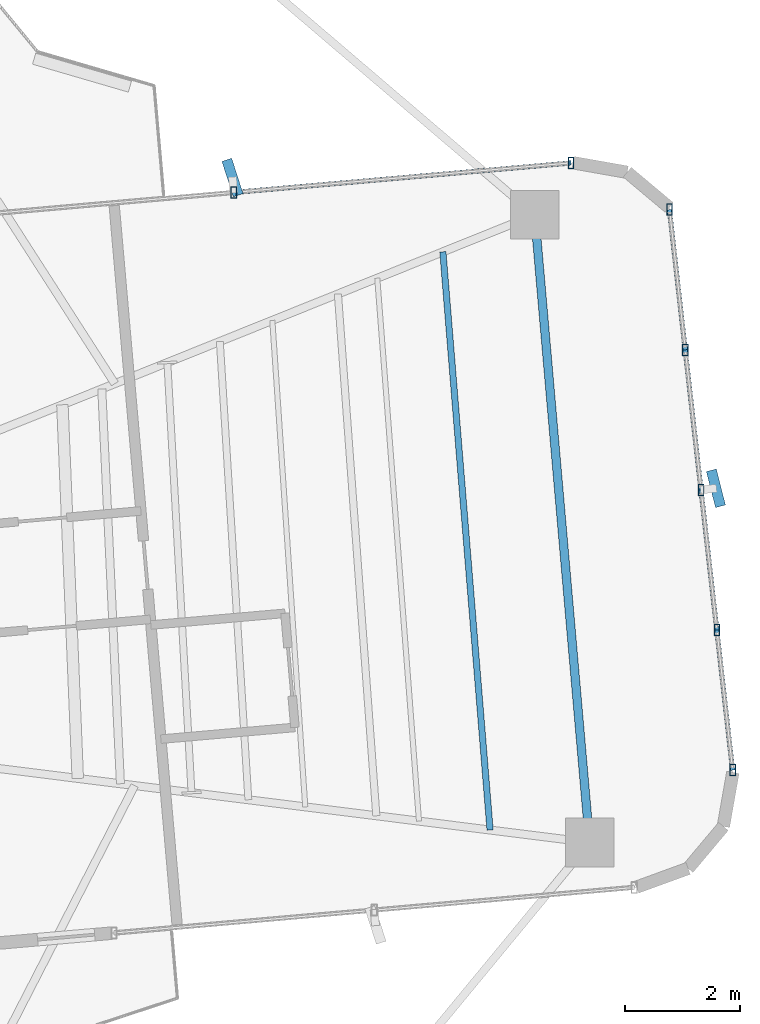
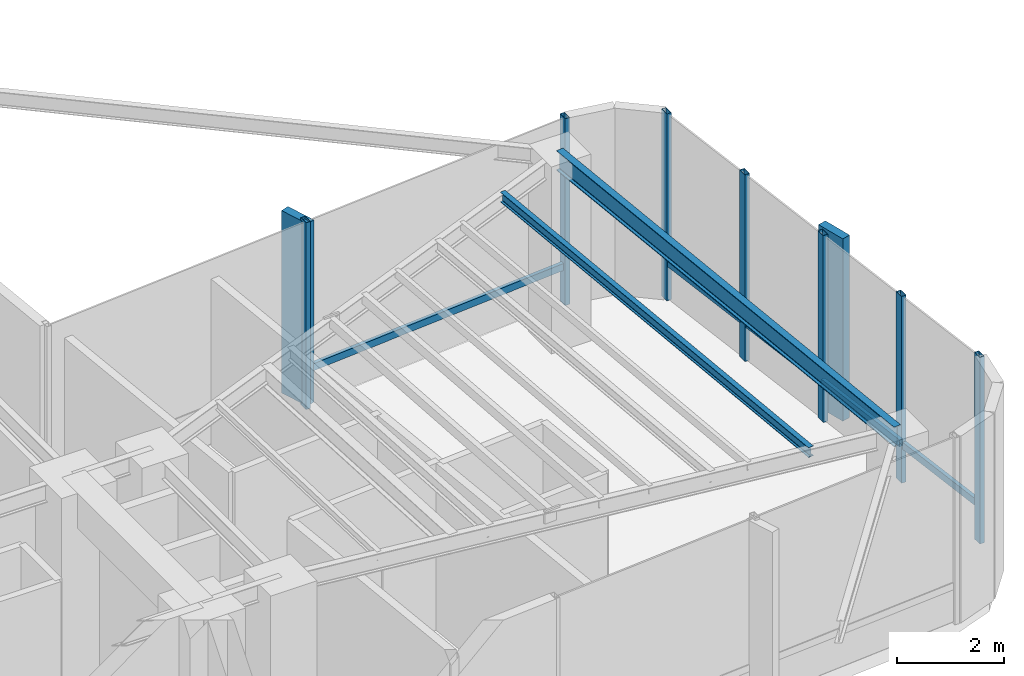
# One storey, part 9 of 19: 14 members, 2 beams, 2 elements without a shape of their own.
"""IFC4 building model written with IfcOpenShell, lengths in metres."""

from ifc_helpers import new_model, si_unit, direction, frame, origin, origin_2d, place, context, subcontext, project, spatial, rectangle, hollow_rectangle, i_section, extrude, source, transform, mapped, material, material_profile, profile_set, type_object, element, aggregate, save


model = new_model("IFC4")

# Units and contexts
model_context = context("Model", 3, precision=1e-05, world=origin(), true_north=direction((0.0, 1.0)))
body_context = subcontext(model_context, "Body", "Model", "MODEL_VIEW")
ifc_project = project(units=[si_unit("LENGTHUNIT", "METRE"), si_unit("AREAUNIT", "SQUARE_METRE"), si_unit("VOLUMEUNIT", "CUBIC_METRE"), si_unit("PLANEANGLEUNIT", "RADIAN"), si_unit("MASSUNIT", "GRAM", prefix="KILO")], contexts=[model_context])

# Site, building, storey
site_placement = place(None, origin())
site = spatial("IfcSite", under=ifc_project, at=site_placement, CompositionType="ELEMENT")
building_placement = place(site_placement, origin())
building = spatial("IfcBuilding", under=site, at=building_placement, Name="Sahyath Konkavel Grand Hotel", CompositionType="ELEMENT")
storey_placement = place(building_placement, frame((0.0, 0.0, 170.699951171875)))
storey = spatial("IfcBuildingStorey", under=building, at=storey_placement, Name="L47", CompositionType="ELEMENT", Elevation=170.699951171875)

# Beams
ifc_material_1 = material(Name="Steel E350", Category="steel")
ifc_material_profile_1 = material_profile(ifc_material_1, i_section(OverallWidth=0.14990234375, OverallDepth=0.449951171875, WebThickness=0.009521484375, FlangeThickness=0.017333984375, FilletRadius=0.014892578125, at=origin_2d()), Name="ISMB 450")
ifc_profile_set_1 = profile_set([ifc_material_profile_1], Name="Steel E350")
beam_type_1 = type_object("IfcBeamType", Name="BM-ISMB450", PredefinedType="BEAM", material=ifc_profile_set_1)
shared_shape_1 = source(origin(), body_context, "Body", "SweptSolid", [
    extrude(i_section(OverallWidth=0.14990234375, OverallDepth=0.449951171875, WebThickness=0.009521484375, FlangeThickness=0.017333984375, FilletRadius=0.014892578125, at=origin_2d()), origin(), (0.0, 0.0, 1.0), 11.0),
])
beam_1_placement = place(storey_placement, frame((17.912841796875, -3.953857421875, 4.03515625), z_axis=(-0.087157314015, 0.996194560622, 0.0), x_axis=(-0.996194560622, -0.087157314015, 0.0)))
element("IfcBeam", 1, at=beam_1_placement, inside=storey, type_object=beam_type_1, Name="L47 Wing Tip Edge Beam E", PredefinedType="BEAM", context=body_context, shape_type="MappedRepresentation", body=[
    mapped(shared_shape_1, transform((0.0, 0.0, 0.0), scale=1.0)),
])
ifc_material_profile_2 = material_profile(ifc_material_1, i_section(OverallWidth=0.110107421875, OverallDepth=0.22509765625, WebThickness=0.006591796875, FlangeThickness=0.01171875, FilletRadius=0.011962890625, at=origin_2d()), Name="ISMB 225")
ifc_profile_set_2 = profile_set([ifc_material_profile_2], Name="Steel E350")
beam_type_2 = type_object("IfcBeamType", Name="BM-ISMB225", PredefinedType="BEAM", material=ifc_profile_set_2)
shared_shape_2 = source(origin(), body_context, "Body", "SweptSolid", [
    extrude(i_section(OverallWidth=0.110107421875, OverallDepth=0.22509765625, WebThickness=0.006591796875, FlangeThickness=0.01171875, FilletRadius=0.011962890625, at=origin_2d()), origin(), (0.0, 0.0, 1.0), 10.129638671875),
])
beam_2_placement = place(storey_placement, frame((16.175048828125, -3.736328125, 4.1474609375), z_axis=(-0.081391815092, 0.996682182261, 0.0), x_axis=(-0.996682182261, -0.081391815092, 0.0)))
element("IfcBeam", 2, at=beam_2_placement, inside=storey, type_object=beam_type_2, Name="L47 Composite Deck Sub-Beam E-6", PredefinedType="BEAM", context=body_context, shape_type="MappedRepresentation", body=[
    mapped(shared_shape_2, transform((0.0, 0.0, 0.0), scale=1.0)),
])

# Curtain wall, members
ifc_material_2 = material(Name="Anodised Bronze Aluminium & Low-E Glazing", Category="aluminium")
curtain_wall_type = type_object("IfcCurtainWallType", Name="CW-SKYLOBBY", PredefinedType="NOTDEFINED", material=ifc_material_2)
curtain_wall_1_placement = place(storey_placement, origin())
curtain_wall_1 = element("IfcCurtainWall", 3, at=curtain_wall_1_placement, inside=storey, type_object=curtain_wall_type, Name="L47 Unitised Curtain Wall F4", PredefinedType="NOTDEFINED")
ifc_material_3 = material(Name="Anodised Bronze Aluminium", Category="aluminium")
ifc_material_profile_3 = material_profile(ifc_material_3, hollow_rectangle(XDim=0.10009765625, YDim=0.199951171875, WallThickness=0.008056640625, at=origin_2d()), Name="RHS 200x100x8")
ifc_profile_set_3 = profile_set([ifc_material_profile_3], Name="Anodised Bronze Aluminium")
member_type_1 = type_object("IfcMemberType", Name="CW-MUL-200", PredefinedType="MULLION", material=ifc_profile_set_3)
shared_shape_3 = source(origin(), body_context, "Body", "SweptSolid", [
    extrude(hollow_rectangle(XDim=0.10009765625, YDim=0.199951171875, WallThickness=0.008056640625, at=origin_2d()), origin(), (0.0, 0.0, 1.0), 4.260009765625),
])
member_1_placement = place(storey_placement, frame((20.4111328125, -2.69140625, 0.0), z_axis=(0.0, 0.0, 1.0), x_axis=(1.0, 0.0, 0.0)))
member_1 = element("IfcMember", 4, at=member_1_placement, type_object=member_type_1, Name="L47 Curtain Wall Mullion F4-0", PredefinedType="MULLION", context=body_context, shape_type="MappedRepresentation", body=[
    mapped(shared_shape_3, transform((0.0, 0.0, 0.0), scale=1.0)),
])
member_2_placement = place(storey_placement, frame((20.135498046875, -0.24462890625, 0.0), z_axis=(0.0, 0.0, 1.0), x_axis=(1.0, 0.0, 0.0)))
member_2 = element("IfcMember", 5, at=member_2_placement, type_object=member_type_1, Name="L47 Curtain Wall Mullion F4-1", PredefinedType="MULLION", context=body_context, shape_type="MappedRepresentation", body=[
    mapped(shared_shape_3, transform((0.0, 0.0, 0.0), scale=1.0)),
])
member_3_placement = place(storey_placement, frame((19.859619140625, 2.201904296875, 0.0), z_axis=(0.0, 0.0, 1.0), x_axis=(1.0, 0.0, 0.0)))
member_3 = element("IfcMember", 6, at=member_3_placement, type_object=member_type_1, Name="L47 Curtain Wall Mullion F4-2", PredefinedType="MULLION", context=body_context, shape_type="MappedRepresentation", body=[
    mapped(shared_shape_3, transform((0.0, 0.0, 0.0), scale=1.0)),
])
member_4_placement = place(storey_placement, frame((19.583984375, 4.648193359375, 0.0), z_axis=(0.0, 0.0, 1.0), x_axis=(1.0, 0.0, 0.0)))
member_4 = element("IfcMember", 7, at=member_4_placement, type_object=member_type_1, Name="L47 Curtain Wall Mullion F4-3", PredefinedType="MULLION", context=body_context, shape_type="MappedRepresentation", body=[
    mapped(shared_shape_3, transform((0.0, 0.0, 0.0), scale=1.0)),
])
member_5_placement = place(storey_placement, frame((19.308349609375, 7.094970703125, 0.0), z_axis=(0.0, 0.0, 1.0), x_axis=(1.0, 0.0, 0.0)))
member_5 = element("IfcMember", 8, at=member_5_placement, type_object=member_type_1, Name="L47 Curtain Wall Mullion F4-4", PredefinedType="MULLION", context=body_context, shape_type="MappedRepresentation", body=[
    mapped(shared_shape_3, transform((0.0, 0.0, 0.0), scale=1.0)),
])

curtain_wall_2_placement = place(storey_placement, origin())
curtain_wall_2 = element("IfcCurtainWall", 9, at=curtain_wall_2_placement, inside=storey, type_object=curtain_wall_type, Name="L47 Unitised Curtain Wall F7", PredefinedType="NOTDEFINED")
member_6_placement = place(storey_placement, frame((17.58740234375, 7.912841796875, 0.0), z_axis=(0.0, 0.0, 1.0), x_axis=(1.0, 0.0, 0.0)))
member_6 = element("IfcMember", 10, at=member_6_placement, type_object=member_type_1, Name="L47 Curtain Wall Mullion F7-0", PredefinedType="MULLION", context=body_context, shape_type="MappedRepresentation", body=[
    mapped(shared_shape_3, transform((0.0, 0.0, 0.0), scale=1.0)),
])
member_7_placement = place(storey_placement, frame((11.69970703125, 7.39794921875, 0.0), z_axis=(0.0, 0.0, 1.0), x_axis=(1.0, 0.0, 0.0)))
member_7 = element("IfcMember", 11, at=member_7_placement, type_object=member_type_1, Name="L47 Curtain Wall Mullion F7-1", PredefinedType="MULLION", context=body_context, shape_type="MappedRepresentation", body=[
    mapped(shared_shape_3, transform((0.0, 0.0, 0.0), scale=1.0)),
])

# Member
ifc_material_4 = material(Name="Warm Buff Sandstone Cladding on Concrete C50/60", Category="masonry")
ifc_material_profile_4 = material_profile(ifc_material_4, rectangle(XDim=0.179931640625, YDim=0.64990234375, at=origin_2d()), Name="FIN 180x650")
ifc_profile_set_4 = profile_set([ifc_material_profile_4], Name="Warm Buff Sandstone Cladding on Concrete C50/60")
member_type_2 = type_object("IfcMemberType", Name="FIN-SANDSTONE-650", PredefinedType="MULLION", material=ifc_profile_set_4)
shared_shape_4 = source(origin(), body_context, "Body", "SweptSolid", [
    extrude(rectangle(XDim=0.179931640625, YDim=0.64990234375, at=origin_2d()), origin(), (0.0, 0.0, 1.0), 4.159912109375),
])
member_8_placement = place(storey_placement, frame((20.1181640625, 2.23095703125, 0.050048828125), z_axis=(0.0, 0.0, 1.0), x_axis=(0.969359662404, 0.245645771192, 0.0)))
member_8 = element("IfcMember", 12, at=member_8_placement, type_object=member_type_2, Name="L47 Sandstone Vertical Solar Fin FIN F4-2", PredefinedType="MULLION", context=body_context, shape_type="MappedRepresentation", body=[
    mapped(shared_shape_4, transform((0.0, 0.0, 0.0), scale=1.0)),
])

member_9_placement = place(storey_placement, frame((11.677001953125, 7.656982421875, 0.050048828125), z_axis=(0.0, 0.0, 1.0), x_axis=(0.951808747363, 0.306692204733, 0.0)))
member_9 = element("IfcMember", 13, at=member_9_placement, type_object=member_type_2, Name="L47 Sandstone Vertical Solar Fin FIN F7-1", PredefinedType="MULLION", context=body_context, shape_type="MappedRepresentation", body=[
    mapped(shared_shape_4, transform((0.0, 0.0, 0.0), scale=1.0)),
])

ifc_material_profile_5 = material_profile(ifc_material_3, hollow_rectangle(XDim=0.080078125, YDim=0.159912109375, WallThickness=0.006103515625, at=origin_2d()), Name="RHS 160x80x6")
ifc_profile_set_5 = profile_set([ifc_material_profile_5], Name="Anodised Bronze Aluminium")
member_type_3 = type_object("IfcMemberType", Name="CW-TRN-160", PredefinedType="USERDEFINED", material=ifc_profile_set_5)
shared_shape_5 = source(origin(), body_context, "Body", "SweptSolid", [
    extrude(hollow_rectangle(XDim=0.080078125, YDim=0.159912109375, WallThickness=0.006103515625, at=origin_2d()), origin(), (0.0, 0.0, 1.0), 2.462158203125),
])
member_10_placement = place(storey_placement, frame((20.4111328125, -2.69140625, 0.85009765625), z_axis=(-0.11194409079, 0.993714506555, 0.0), x_axis=(-0.993714506555, -0.11194409079, 0.0)))
member_10 = element("IfcMember", 14, at=member_10_placement, type_object=member_type_3, Name="L47 Curtain Wall Transom F4-0-spandrel", ObjectType="TRANSOM", PredefinedType="USERDEFINED", context=body_context, shape_type="MappedRepresentation", body=[
    mapped(shared_shape_5, transform((0.0, 0.0, 0.0), scale=1.0)),
])

member_11_placement = place(storey_placement, frame((20.135498046875, -0.24462890625, 0.85009765625), z_axis=(-0.112053040279, 0.99370222711, 0.0), x_axis=(-0.99370222711, -0.112053040279, 0.0)))
member_11 = element("IfcMember", 15, at=member_11_placement, type_object=member_type_3, Name="L47 Curtain Wall Transom F4-1-spandrel", ObjectType="TRANSOM", PredefinedType="USERDEFINED", context=body_context, shape_type="MappedRepresentation", body=[
    mapped(shared_shape_5, transform((0.0, 0.0, 0.0), scale=1.0)),
])

member_12_placement = place(storey_placement, frame((19.583984375, 4.648193359375, 0.85009765625), z_axis=(-0.11194409079, 0.993714506555, 0.0), x_axis=(-0.993714506555, -0.11194409079, 0.0)))
member_12 = element("IfcMember", 16, at=member_12_placement, type_object=member_type_3, Name="L47 Curtain Wall Transom F4-3-spandrel", ObjectType="TRANSOM", PredefinedType="USERDEFINED", context=body_context, shape_type="MappedRepresentation", body=[
    mapped(shared_shape_5, transform((0.0, 0.0, 0.0), scale=1.0)),
])

shared_shape_6 = source(origin(), body_context, "Body", "SweptSolid", [
    extrude(hollow_rectangle(XDim=0.080078125, YDim=0.159912109375, WallThickness=0.006103515625, at=origin_2d()), origin(), (0.0, 0.0, 1.0), 2.461669921875),
])
member_13_placement = place(storey_placement, frame((19.859619140625, 2.201904296875, 0.85009765625), z_axis=(-0.111966154832, 0.993712020744, 0.0), x_axis=(-0.993712020744, -0.111966154832, 0.0)))
member_13 = element("IfcMember", 17, at=member_13_placement, type_object=member_type_3, Name="L47 Curtain Wall Transom F4-2-spandrel", ObjectType="TRANSOM", PredefinedType="USERDEFINED", context=body_context, shape_type="MappedRepresentation", body=[
    mapped(shared_shape_6, transform((0.0, 0.0, 0.0), scale=1.0)),
])

aggregate(curtain_wall_1, [member_1, member_2, member_3, member_8, member_4, member_5, member_10, member_11, member_13, member_12])

shared_shape_7 = source(origin(), body_context, "Body", "SweptSolid", [
    extrude(hollow_rectangle(XDim=0.080078125, YDim=0.159912109375, WallThickness=0.006103515625, at=origin_2d()), origin(), (0.0, 0.0, 1.0), 5.91015625),
])
member_14_placement = place(storey_placement, frame((17.58740234375, 7.912841796875, 0.85009765625), z_axis=(-0.996197841474, -0.087119806256, 0.0), x_axis=(0.087119806256, -0.996197841474, 0.0)))
member_14 = element("IfcMember", 18, at=member_14_placement, type_object=member_type_3, Name="L47 Curtain Wall Transom F7-0-spandrel", ObjectType="TRANSOM", PredefinedType="USERDEFINED", context=body_context, shape_type="MappedRepresentation", body=[
    mapped(shared_shape_7, transform((0.0, 0.0, 0.0), scale=1.0)),
])

aggregate(curtain_wall_2, [member_6, member_7, member_9, member_14])

save(model, "model.ifc")
